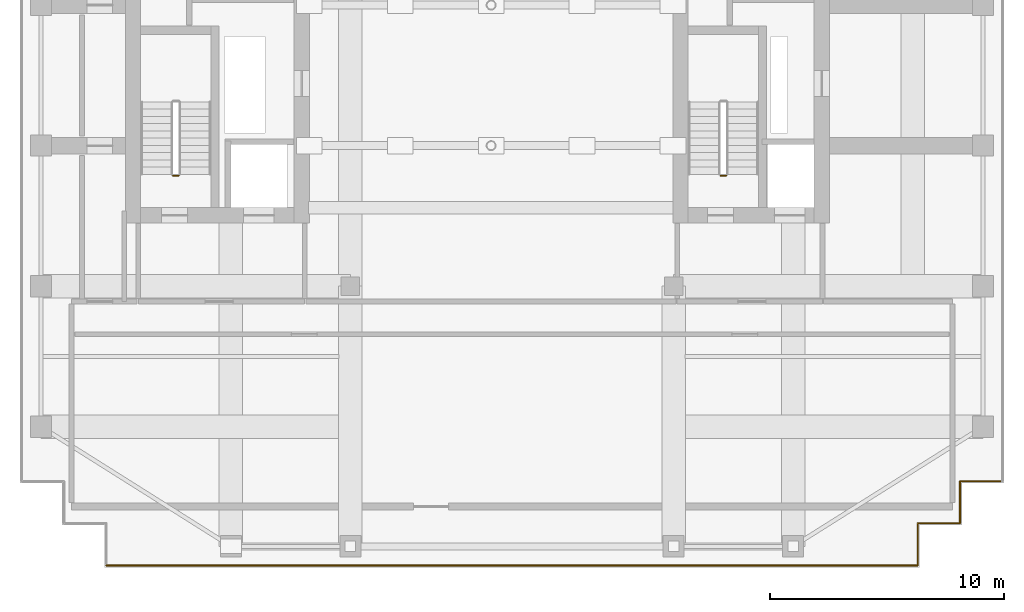
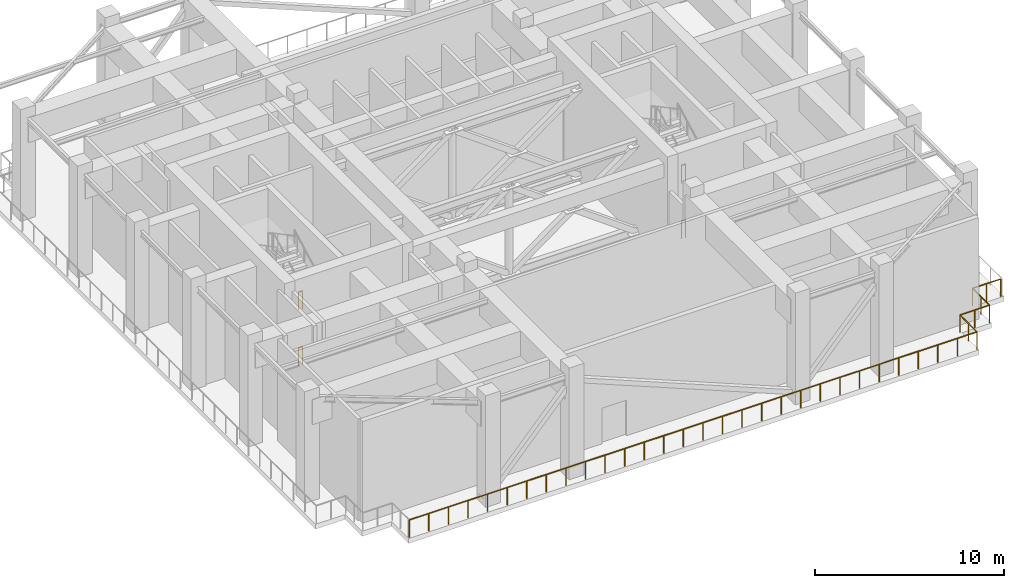
# One storey, part 6 of 9: 5 railings.
"""IFC4 building model written with IfcOpenShell, lengths in metres."""

from ifc_helpers import new_model, si_unit, direction, frame, origin, origin_2d, place, context, subcontext, project, spatial, circle, extrude, material, type_object, element, save


model = new_model("IFC4")

# Units and contexts
model_context = context("Model", 3, precision=1e-05, world=origin(), true_north=direction((0.0, 1.0)))
body_context = subcontext(model_context, "Body", "Model", "MODEL_VIEW")
ifc_project = project(units=[si_unit("LENGTHUNIT", "METRE"), si_unit("AREAUNIT", "SQUARE_METRE"), si_unit("VOLUMEUNIT", "CUBIC_METRE"), si_unit("PLANEANGLEUNIT", "RADIAN"), si_unit("MASSUNIT", "GRAM", prefix="KILO")], contexts=[model_context])

# Site, building, storey
site_placement = place(None, origin())
site = spatial("IfcSite", under=ifc_project, at=site_placement, CompositionType="ELEMENT")
building_placement = place(site_placement, origin())
building = spatial("IfcBuilding", under=site, at=building_placement, Name="Khoralis Quay Care Tower", CompositionType="ELEMENT")
storey_placement = place(building_placement, frame((0.0, 0.0, 220.5)))
storey = spatial("IfcBuildingStorey", under=building, at=storey_placement, Name="L58", CompositionType="ELEMENT", Elevation=220.5)

# Railings
ifc_material_1 = material(Name="Pale anodised aluminium", Category="aluminium")
railing_type_1 = type_object("IfcRailingType", Name="RL-BALUST-1150", PredefinedType="BALUSTRADE", material=ifc_material_1)
railing_placement = place(storey_placement, frame((6.679931640625, 0.080078125, 0.0)))
element("IfcRailing", 1, at=railing_placement, inside=storey, type_object=railing_type_1, Name="L58 Open Wind-Slot Portal Perimeter Guard 1.1", PredefinedType="BALUSTRADE", context=body_context, shape_type="SweptSolid", body=[
    extrude(circle(Radius=0.02392578125, at=origin_2d()), frame((0.0, 0.0, 1.1259765625), z_axis=(1.0, 0.0, 0.0), x_axis=(0.0, 1.0, 0.0)), (0.0, 0.0, 1.0), 34.64013671875),
    extrude(circle(Radius=0.02392578125, at=origin_2d()), frame((34.64013671875, 0.0, 1.1259765625), z_axis=(0.0, 1.0, 0.0), x_axis=(-1.0, 0.0, 0.0)), (0.0, 0.0, 1.0), 1.7998046875),
    extrude(circle(Radius=0.02392578125, at=origin_2d()), frame((34.64013671875, 1.7998046875, 1.1259765625), z_axis=(1.0, 0.0, 0.0), x_axis=(0.0, 1.0, 0.0)), (0.0, 0.0, 1.0), 1.800048828125),
    extrude(circle(Radius=0.02392578125, at=origin_2d()), frame((36.440185546875, 1.7998046875, 1.1259765625), z_axis=(0.0, 1.0, 0.0), x_axis=(-1.0, 0.0, 0.0)), (0.0, 0.0, 1.0), 1.800048828125),
    extrude(circle(Radius=0.02392578125, at=origin_2d()), frame((36.440185546875, 3.599853515625, 1.1259765625), z_axis=(1.0, 0.0, 0.0), x_axis=(0.0, 1.0, 0.0)), (0.0, 0.0, 1.0), 1.719970703125),
    extrude(circle(Radius=0.02099609375, at=origin_2d()), origin(), (0.0, 0.0, 1.0), 1.101806640625),
    extrude(circle(Radius=0.02099609375, at=origin_2d()), frame((1.194580078125, 0.0, 0.0)), (0.0, 0.0, 1.0), 1.101806640625),
    extrude(circle(Radius=0.02099609375, at=origin_2d()), frame((2.388916015625, 0.0, 0.0)), (0.0, 0.0, 1.0), 1.101806640625),
    extrude(circle(Radius=0.02099609375, at=origin_2d()), frame((3.58349609375, 0.0, 0.0)), (0.0, 0.0, 1.0), 1.101806640625),
    extrude(circle(Radius=0.02099609375, at=origin_2d()), frame((4.77783203125, 0.0, 0.0)), (0.0, 0.0, 1.0), 1.101806640625),
    extrude(circle(Radius=0.02099609375, at=origin_2d()), frame((5.972412109375, 0.0, 0.0)), (0.0, 0.0, 1.0), 1.101806640625),
    extrude(circle(Radius=0.02099609375, at=origin_2d()), frame((7.1669921875, 0.0, 0.0)), (0.0, 0.0, 1.0), 1.101806640625),
    extrude(circle(Radius=0.02099609375, at=origin_2d()), frame((8.361328125, 0.0, 0.0)), (0.0, 0.0, 1.0), 1.101806640625),
    extrude(circle(Radius=0.02099609375, at=origin_2d()), frame((9.555908203125, 0.0, 0.0)), (0.0, 0.0, 1.0), 1.101806640625),
    extrude(circle(Radius=0.02099609375, at=origin_2d()), frame((10.75048828125, 0.0, 0.0)), (0.0, 0.0, 1.0), 1.101806640625),
    extrude(circle(Radius=0.02099609375, at=origin_2d()), frame((11.94482421875, 0.0, 0.0)), (0.0, 0.0, 1.0), 1.101806640625),
    extrude(circle(Radius=0.02099609375, at=origin_2d()), frame((13.139404296875, 0.0, 0.0)), (0.0, 0.0, 1.0), 1.101806640625),
    extrude(circle(Radius=0.02099609375, at=origin_2d()), frame((14.333740234375, 0.0, 0.0)), (0.0, 0.0, 1.0), 1.101806640625),
    extrude(circle(Radius=0.02099609375, at=origin_2d()), frame((15.5283203125, 0.0, 0.0)), (0.0, 0.0, 1.0), 1.101806640625),
    extrude(circle(Radius=0.02099609375, at=origin_2d()), frame((16.722900390625, 0.0, 0.0)), (0.0, 0.0, 1.0), 1.101806640625),
    extrude(circle(Radius=0.02099609375, at=origin_2d()), frame((17.917236328125, 0.0, 0.0)), (0.0, 0.0, 1.0), 1.101806640625),
    extrude(circle(Radius=0.02099609375, at=origin_2d()), frame((19.11181640625, 0.0, 0.0)), (0.0, 0.0, 1.0), 1.101806640625),
    extrude(circle(Radius=0.02099609375, at=origin_2d()), frame((20.306396484375, 0.0, 0.0)), (0.0, 0.0, 1.0), 1.101806640625),
    extrude(circle(Radius=0.02099609375, at=origin_2d()), frame((21.500732421875, 0.0, 0.0)), (0.0, 0.0, 1.0), 1.101806640625),
    extrude(circle(Radius=0.02099609375, at=origin_2d()), frame((22.6953125, 0.0, 0.0)), (0.0, 0.0, 1.0), 1.101806640625),
    extrude(circle(Radius=0.02099609375, at=origin_2d()), frame((23.8896484375, 0.0, 0.0)), (0.0, 0.0, 1.0), 1.101806640625),
    extrude(circle(Radius=0.02099609375, at=origin_2d()), frame((25.084228515625, 0.0, 0.0)), (0.0, 0.0, 1.0), 1.101806640625),
    extrude(circle(Radius=0.02099609375, at=origin_2d()), frame((26.27880859375, 0.0, 0.0)), (0.0, 0.0, 1.0), 1.101806640625),
    extrude(circle(Radius=0.02099609375, at=origin_2d()), frame((27.47314453125, 0.0, 0.0)), (0.0, 0.0, 1.0), 1.101806640625),
    extrude(circle(Radius=0.02099609375, at=origin_2d()), frame((28.667724609375, 0.0, 0.0)), (0.0, 0.0, 1.0), 1.101806640625),
    extrude(circle(Radius=0.02099609375, at=origin_2d()), frame((29.8623046875, 0.0, 0.0)), (0.0, 0.0, 1.0), 1.101806640625),
    extrude(circle(Radius=0.02099609375, at=origin_2d()), frame((31.056640625, 0.0, 0.0)), (0.0, 0.0, 1.0), 1.101806640625),
    extrude(circle(Radius=0.02099609375, at=origin_2d()), frame((32.251220703125, 0.0, 0.0)), (0.0, 0.0, 1.0), 1.101806640625),
    extrude(circle(Radius=0.02099609375, at=origin_2d()), frame((33.445556640625, 0.0, 0.0)), (0.0, 0.0, 1.0), 1.101806640625),
    extrude(circle(Radius=0.02099609375, at=origin_2d()), frame((34.64013671875, 0.0, 0.0)), (0.0, 0.0, 1.0), 1.101806640625),
    extrude(circle(Radius=0.02099609375, at=origin_2d()), frame((34.64013671875, 0.89990234375, 0.0)), (0.0, 0.0, 1.0), 1.101806640625),
    extrude(circle(Radius=0.02099609375, at=origin_2d()), frame((34.64013671875, 1.7998046875, 0.0)), (0.0, 0.0, 1.0), 1.101806640625),
    extrude(circle(Radius=0.02099609375, at=origin_2d()), frame((35.5400390625, 1.7998046875, 0.0)), (0.0, 0.0, 1.0), 1.101806640625),
    extrude(circle(Radius=0.02099609375, at=origin_2d()), frame((36.440185546875, 1.7998046875, 0.0)), (0.0, 0.0, 1.0), 1.101806640625),
    extrude(circle(Radius=0.02099609375, at=origin_2d()), frame((36.440185546875, 2.69970703125, 0.0)), (0.0, 0.0, 1.0), 1.101806640625),
    extrude(circle(Radius=0.02099609375, at=origin_2d()), frame((36.440185546875, 3.599853515625, 0.0)), (0.0, 0.0, 1.0), 1.101806640625),
    extrude(circle(Radius=0.02099609375, at=origin_2d()), frame((37.30029296875, 3.599853515625, 0.0)), (0.0, 0.0, 1.0), 1.101806640625),
    extrude(circle(Radius=0.02099609375, at=origin_2d()), frame((38.16015625, 3.599853515625, 0.0)), (0.0, 0.0, 1.0), 1.101806640625),
])
ifc_material_2 = material(Name="Brushed stainless steel", Category="steel")
railing_type_2 = type_object("IfcRailingType", Name="RL-GUARD-1150", PredefinedType="GUARDRAIL", material=ifc_material_2)
for number, where, name in (
    (2, (9.77001953125, 16.719970703125, 3.60009765625), "L58 ST-T1 stair guard 4"),
    (3, (9.77001953125, 16.719970703125, 0.0), "L58 ST-T1 stair guard 8"),
    (4, (33.139892578125, 16.719970703125, 3.60009765625), "L58 ST-T2 stair guard 4"),
    (5, (33.139892578125, 16.719970703125, 0.0), "L58 ST-T2 stair guard 8"),
):
    element("IfcRailing", number, at=place(storey_placement, frame(where)), inside=storey, type_object=railing_type_2, Name=name, PredefinedType="GUARDRAIL", context=body_context, shape_type="SweptSolid", body=[
        extrude(circle(Radius=0.02392578125, at=origin_2d()), frame((0.0, 0.0, 1.1259765625), z_axis=(-1.0, 0.0, 0.0), x_axis=(0.0, -1.0, 0.0)), (0.0, 0.0, 1.0), 0.239990234375),
        extrude(circle(Radius=0.02099609375, at=origin_2d()), origin(), (0.0, 0.0, 1.0), 1.101806640625),
        extrude(circle(Radius=0.02099609375, at=origin_2d()), frame((-0.239990234375, 0.0, 0.0)), (0.0, 0.0, 1.0), 1.101806640625),
    ])

save(model, "model.ifc")
